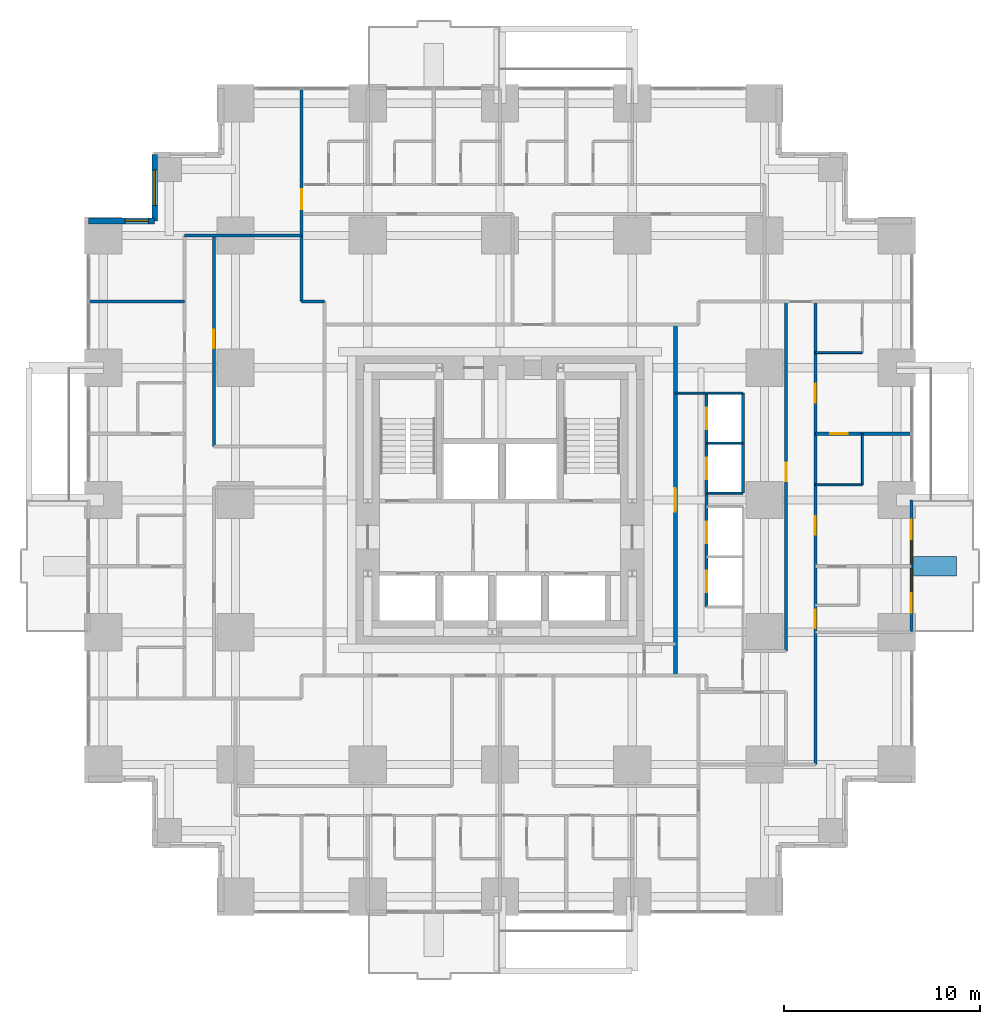
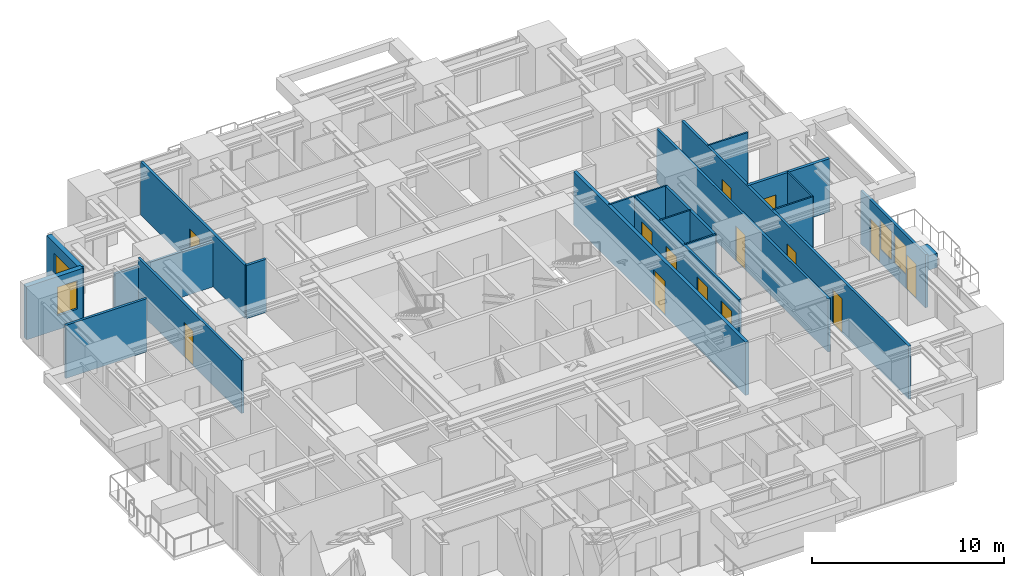
# One storey, part 11 of 14: 21 walls, 14 doors, 4 windows, 18 openings.
"""IFC4 building model written with IfcOpenShell, lengths in metres."""

from ifc_helpers import new_model, si_unit, direction, frame, frame_2d, origin, place, context, subcontext, project, spatial, rectangle, extrude, material, layer, layer_set, type_object, element, fill, save


model = new_model("IFC4")

# Units and contexts
model_context = context("Model", 3, precision=1e-05, world=origin(), true_north=direction((0.0, 1.0)))
body_context = subcontext(model_context, "Body", "Model", "MODEL_VIEW")
ifc_project = project(units=[si_unit("LENGTHUNIT", "METRE"), si_unit("AREAUNIT", "SQUARE_METRE"), si_unit("VOLUMEUNIT", "CUBIC_METRE"), si_unit("PLANEANGLEUNIT", "RADIAN"), si_unit("MASSUNIT", "GRAM", prefix="KILO")], contexts=[model_context])

# Site, building, storey
site_placement = place(None, origin())
site = spatial("IfcSite", under=ifc_project, at=site_placement, CompositionType="ELEMENT")
building_placement = place(site_placement, origin())
building = spatial("IfcBuilding", under=site, at=building_placement, Name="Nyansa Garden Tower", CompositionType="ELEMENT")
storey_placement = place(building_placement, frame((0.0, 0.0, 39.60009765625)))
storey = spatial("IfcBuildingStorey", under=building, at=storey_placement, Name="L10", CompositionType="ELEMENT", Elevation=39.60009765625)

# Wall, opening, door
ifc_material_1 = material(Name="Dense blockwork, plastered both sides, 55 dB", Category="masonry")
ifc_layer_1 = layer(ifc_material_1, 0.175048828125)
ifc_layer_set_1 = layer_set([ifc_layer_1], Name="Acoustic party wall PW175")
wall_type_1 = type_object("IfcWallType", Name="Acoustic party wall PW175", PredefinedType="PARTITIONING", material=ifc_layer_set_1)
wall_1_placement = place(storey_placement, frame((36.35009765625, 23.625, 0.0), z_axis=(0.0, 0.0, 1.0), x_axis=(1.0, 0.0, 0.0)))
wall_1 = element("IfcWall", 1, at=wall_1_placement, inside=storey, type_object=wall_type_1, Name="Party wall", PredefinedType="PARTITIONING", context=body_context, shape_type="SweptSolid", body=[
    extrude(rectangle(XDim=4.8837890625, YDim=0.175048828125, at=frame_2d((2.44189453125, 0.0))), origin(), (0.0, 0.0, 1.0), 3.375),
])
opening_1_placement = place(wall_1_placement, frame((0.75, 0.0, 0.0)))
opening_1 = element("IfcOpeningElement", 2, at=opening_1_placement, cuts=wall_1, Name="Opening D02", PredefinedType="OPENING", context=body_context, shape_type="SweptSolid", body=[
    extrude(rectangle(XDim=0.89990234375, YDim=2.199951171875, at=frame_2d((0.449951171875, 1.10009765625))), frame((0.0, 0.097412109375, 0.0), z_axis=(0.0, -1.0, 0.0), x_axis=(1.0, 0.0, 0.0)), (0.0, 0.0, 1.0), 0.195068359375),
])
ifc_material_2 = material(Name="Timber flush door", Category="wood")
door_type_1 = type_object("IfcDoorType", Name="En-suite door D02 900x2200", OperationType="SINGLE_SWING_RIGHT", PredefinedType="DOOR", material=ifc_material_2)
door_1_placement = place(opening_1_placement, origin())
door_1 = element("IfcDoor", 3, at=door_1_placement, inside=storey, type_object=door_type_1, Name="Door L10-038", OperationType="SINGLE_SWING_RIGHT", OverallHeight=2.199951171875, OverallWidth=0.89990234375, PredefinedType="DOOR", context=body_context, shape_type="SweptSolid", body=[
    extrude(rectangle(XDim=0.89990234375, YDim=2.199951171875, at=frame_2d((0.449951171875, 1.10009765625))), frame((0.0, 0.02490234375, 0.0), z_axis=(0.0, -1.0, 0.0), x_axis=(1.0, 0.0, 0.0)), (0.0, 0.0, 1.0), 0.050048828125),
])
fill(opening_1, door_1)

# Wall, openings, doors, windows
ifc_material_3 = material(Name="Black aluminium framed glazed screen", Category="aluminium")
ifc_layer_2 = layer(ifc_material_3, 0.14990234375)
ifc_layer_set_2 = layer_set([ifc_layer_2], Name="Balcony screen wall BW150")
wall_type_2 = type_object("IfcWallType", Name="Balcony screen wall BW150", PredefinedType="SOLIDWALL", material=ifc_layer_set_2)
wall_2_placement = place(storey_placement, frame((41.25, 20.25, 0.0), z_axis=(0.0, 0.0, 1.0), x_axis=(0.0, -1.0, 0.0)))
wall_2 = element("IfcWall", 4, at=wall_2_placement, inside=storey, type_object=wall_type_2, Name="Glazed screen wall L10 E", PredefinedType="SOLIDWALL", context=body_context, shape_type="SweptSolid", body=[
    extrude(rectangle(XDim=6.75, YDim=0.14990234375, at=frame_2d((3.375, 0.0))), origin(), (0.0, 0.0, 1.0), 3.375),
])
opening_2_placement = place(wall_2_placement, frame((0.995849609375, 0.0, 0.0)))
opening_2 = element("IfcOpeningElement", 5, at=opening_2_placement, cuts=wall_2, Name="Opening D20", PredefinedType="OPENING", context=body_context, shape_type="SweptSolid", body=[
    extrude(rectangle(XDim=1.0, YDim=2.199951171875, at=frame_2d((0.5, 1.10009765625))), frame((0.0, 0.0849609375, 0.0), z_axis=(0.0, -1.0, 0.0), x_axis=(1.0, 0.0, 0.0)), (0.0, 0.0, 1.0), 0.169921875),
])
opening_3_placement = place(wall_2_placement, frame((2.041748046875, 0.0, 0.89990234375)))
opening_3 = element("IfcOpeningElement", 6, at=opening_3_placement, cuts=wall_2, Name="Opening W6", PredefinedType="OPENING", context=body_context, shape_type="SweptSolid", body=[
    extrude(rectangle(XDim=1.199951171875, YDim=1.800048828125, at=frame_2d((0.60009765625, 0.89990234375))), frame((0.0, 0.0849609375, 0.0), z_axis=(0.0, -1.0, 0.0), x_axis=(1.0, 0.0, 0.0)), (0.0, 0.0, 1.0), 0.169921875),
])
opening_4_placement = place(wall_2_placement, frame((4.754150390625, 0.0, 0.0)))
opening_4 = element("IfcOpeningElement", 7, at=opening_4_placement, cuts=wall_2, Name="Opening D20", PredefinedType="OPENING", context=body_context, shape_type="SweptSolid", body=[
    extrude(rectangle(XDim=1.0, YDim=2.199951171875, at=frame_2d((0.5, 1.10009765625))), frame((0.0, 0.0849609375, 0.0), z_axis=(0.0, -1.0, 0.0), x_axis=(1.0, 0.0, 0.0)), (0.0, 0.0, 1.0), 0.169921875),
])
opening_5_placement = place(wall_2_placement, frame((3.50830078125, 0.0, 0.89990234375)))
opening_5 = element("IfcOpeningElement", 8, at=opening_5_placement, cuts=wall_2, Name="Opening W6", PredefinedType="OPENING", context=body_context, shape_type="SweptSolid", body=[
    extrude(rectangle(XDim=1.199951171875, YDim=1.800048828125, at=frame_2d((0.60009765625, 0.89990234375))), frame((0.0, 0.0849609375, 0.0), z_axis=(0.0, -1.0, 0.0), x_axis=(1.0, 0.0, 0.0)), (0.0, 0.0, 1.0), 0.169921875),
])
ifc_material_4 = material(Name="Black aluminium framed glazed door", Category="aluminium")
door_type_2 = type_object("IfcDoorType", Name="Balcony door D20 1000x2200", OperationType="NOTDEFINED", PredefinedType="DOOR", material=ifc_material_4)
door_2_placement = place(opening_2_placement, origin())
door_2 = element("IfcDoor", 9, at=door_2_placement, inside=storey, type_object=door_type_2, Name="Balcony door L10", OperationType="SINGLE_SWING_LEFT", OverallHeight=2.199951171875, OverallWidth=1.0, PredefinedType="DOOR", context=body_context, shape_type="SweptSolid", body=[
    extrude(rectangle(XDim=1.0, YDim=2.199951171875, at=frame_2d((0.5, 1.10009765625))), frame((0.0, 0.02490234375, 0.0), z_axis=(0.0, -1.0, 0.0), x_axis=(1.0, 0.0, 0.0)), (0.0, 0.0, 1.0), 0.050048828125),
])
fill(opening_2, door_2)
door_3_placement = place(opening_4_placement, origin())
door_3 = element("IfcDoor", 10, at=door_3_placement, inside=storey, type_object=door_type_2, Name="Balcony door L10", OperationType="SINGLE_SWING_RIGHT", OverallHeight=2.199951171875, OverallWidth=1.0, PredefinedType="DOOR", context=body_context, shape_type="SweptSolid", body=[
    extrude(rectangle(XDim=1.0, YDim=2.199951171875, at=frame_2d((0.5, 1.10009765625))), frame((0.0, 0.02490234375, 0.0), z_axis=(0.0, -1.0, 0.0), x_axis=(1.0, 0.0, 0.0)), (0.0, 0.0, 1.0), 0.050048828125),
])
fill(opening_4, door_3)
ifc_material_5 = material(Name="Black aluminium frame, dark tinted double glazing", Category="aluminium")
window_type_1 = type_object("IfcWindowType", Name="Balcony window W6 1200x1800", PartitioningType="SINGLE_PANEL", PredefinedType="WINDOW", material=ifc_material_5)
window_1_placement = place(opening_3_placement, origin())
window_1 = element("IfcWindow", 11, at=window_1_placement, inside=storey, type_object=window_type_1, Name="Window L10", OverallHeight=1.800048828125, OverallWidth=1.199951171875, PartitioningType="SINGLE_PANEL", PredefinedType="WINDOW", context=body_context, shape_type="SweptSolid", body=[
    extrude(rectangle(XDim=1.199951171875, YDim=1.800048828125, at=frame_2d((0.60009765625, 0.89990234375))), frame((0.0, 0.030029296875, 0.0), z_axis=(0.0, -1.0, 0.0), x_axis=(1.0, 0.0, 0.0)), (0.0, 0.0, 1.0), 0.06005859375),
])
fill(opening_3, window_1)
window_2_placement = place(opening_5_placement, origin())
window_2 = element("IfcWindow", 12, at=window_2_placement, inside=storey, type_object=window_type_1, Name="Window L10", OverallHeight=1.800048828125, OverallWidth=1.199951171875, PartitioningType="SINGLE_PANEL", PredefinedType="WINDOW", context=body_context, shape_type="SweptSolid", body=[
    extrude(rectangle(XDim=1.199951171875, YDim=1.800048828125, at=frame_2d((0.60009765625, 0.89990234375))), frame((0.0, 0.030029296875, 0.0), z_axis=(0.0, -1.0, 0.0), x_axis=(1.0, 0.0, 0.0)), (0.0, 0.0, 1.0), 0.06005859375),
])
fill(opening_5, window_2)

# Wall, opening, door
ifc_material_6 = material(Name="Concrete blockwork, plastered, 60 minute fire resisting", Category="masonry")
ifc_layer_3 = layer(ifc_material_6, 0.199951171875)
ifc_layer_set_3 = layer_set([ifc_layer_3], Name="Corridor wall FW200")
wall_type_3 = type_object("IfcWallType", Name="Corridor wall FW200", PredefinedType="PARTITIONING", material=ifc_layer_set_3)
wall_3_placement = place(storey_placement, frame((29.199951171875, 11.300048828125, 0.0), z_axis=(0.0, 0.0, 1.0), x_axis=(0.0, 1.0, 0.0)))
wall_3 = element("IfcWall", 13, at=wall_3_placement, inside=storey, type_object=wall_type_3, Name="Corridor wall", PredefinedType="PARTITIONING", context=body_context, shape_type="SweptSolid", body=[
    extrude(rectangle(XDim=17.89990234375, YDim=0.199951171875, at=frame_2d((8.949951171875, 0.0))), origin(), (0.0, 0.0, 1.0), 3.375),
])
opening_6_placement = place(wall_3_placement, frame((8.35009765625, 0.0, 0.0)))
opening_6 = element("IfcOpeningElement", 14, at=opening_6_placement, cuts=wall_3, Name="Opening D06", PredefinedType="OPENING", context=body_context, shape_type="SweptSolid", body=[
    extrude(rectangle(XDim=1.199951171875, YDim=2.199951171875, at=frame_2d((0.60009765625, 1.10009765625))), frame((0.0, 0.10986328125, 0.0), z_axis=(0.0, -1.0, 0.0), x_axis=(1.0, 0.0, 0.0)), (0.0, 0.0, 1.0), 0.219970703125),
])
ifc_material_7 = material(Name="Steel door, 120 minute fire resisting", Category="steel")
door_type_3 = type_object("IfcDoorType", Name="Lobby door D06 1200x2200", OperationType="DOUBLE_DOOR_SINGLE_SWING", PredefinedType="DOOR", material=ifc_material_7)
door_4_placement = place(opening_6_placement, origin())
door_4 = element("IfcDoor", 15, at=door_4_placement, inside=storey, type_object=door_type_3, Name="Low-rise lift lobby door", OperationType="DOUBLE_DOOR_SINGLE_SWING", OverallHeight=2.199951171875, OverallWidth=1.199951171875, PredefinedType="DOOR", context=body_context, shape_type="SweptSolid", body=[
    extrude(rectangle(XDim=1.199951171875, YDim=2.199951171875, at=frame_2d((0.60009765625, 1.10009765625))), frame((0.0, 0.02490234375, 0.0), z_axis=(0.0, -1.0, 0.0), x_axis=(1.0, 0.0, 0.0)), (0.0, 0.0, 1.0), 0.050048828125),
])
fill(opening_6, door_4)

# Walls
ifc_material_8 = material(Name="Steel-stud shaft wall, two layers fire-rated board, EI 120", Category="steel")
ifc_layer_4 = layer(ifc_material_8, 0.10009765625)
ifc_layer_set_4 = layer_set([ifc_layer_4], Name="Lift shaft wall SW100")
wall_type_4 = type_object("IfcWallType", Name="Lift shaft wall SW100", PredefinedType="SHEAR", material=ifc_layer_set_4)
wall_4_placement = place(storey_placement, frame((29.199951171875, 25.699951171875, 0.0), z_axis=(0.0, 0.0, 1.0), x_axis=(1.0, 0.0, 0.0)))
element("IfcWall", 16, at=wall_4_placement, inside=storey, type_object=wall_type_4, Name="Lift shaft wall", PredefinedType="SHEAR", context=body_context, shape_type="SweptSolid", body=[
    extrude(rectangle(XDim=3.449951171875, YDim=0.10009765625, at=frame_2d((1.72509765625, 0.0))), origin(), (0.0, 0.0, 1.0), 3.375),
])
for number, where, z_axis, x_axis, name in (
    (17, (30.800048828125, 20.60009765625, 0.0), (0.0, 0.0, 1.0), (1.0, 0.0, 0.0), "Lift shaft wall"),
    (18, (30.800048828125, 23.14990234375, 0.0), (0.0, 0.0, 1.0), (1.0, 0.0, 0.0), "Lift shaft wall"),
):
    element("IfcWall", number, at=place(storey_placement, frame(where, z_axis=z_axis, x_axis=x_axis)), inside=storey, type_object=wall_type_4, Name=name, PredefinedType="SHEAR", context=body_context, shape_type="SweptSolid", body=[
        extrude(rectangle(XDim=1.849853515625, YDim=0.10009765625, at=frame_2d((0.9248046875, 0.0))), origin(), (0.0, 0.0, 1.0), 3.375),
    ])
ifc_material_9 = material(Name="Blockwork, plastered both sides", Category="masonry")
ifc_layer_5 = layer(ifc_material_9, 0.14990234375)
ifc_layer_set_5 = layer_set([ifc_layer_5], Name="Partition PW150")
wall_type_5 = type_object("IfcWallType", Name="Partition PW150", PredefinedType="PARTITIONING", material=ifc_layer_set_5)
wall_5_placement = place(storey_placement, frame((-0.73388671875, 30.375, 0.0), z_axis=(0.0, 0.0, 1.0), x_axis=(1.0, 0.0, 0.0)))
element("IfcWall", 19, at=wall_5_placement, inside=storey, type_object=wall_type_5, Name="Partition", PredefinedType="PARTITIONING", context=body_context, shape_type="SweptSolid", body=[
    extrude(rectangle(XDim=4.8837890625, YDim=0.14990234375, at=frame_2d((2.44189453125, 0.0))), origin(), (0.0, 0.0, 1.0), 3.375),
])
wall_6_placement = place(storey_placement, frame((4.14990234375, 33.75, 0.0), z_axis=(0.0, 0.0, 1.0), x_axis=(1.0, 0.0, 0.0)))
element("IfcWall", 20, at=wall_6_placement, inside=storey, type_object=wall_type_5, Name="Partition", PredefinedType="PARTITIONING", context=body_context, shape_type="SweptSolid", body=[
    extrude(rectangle(XDim=5.97509765625, YDim=0.14990234375, at=frame_2d((2.987548828125, 0.0))), origin(), (0.0, 0.0, 1.0), 2.876953125),
])

# Wall, opening, door
wall_7_placement = place(storey_placement, frame((5.64990234375, 22.987548828125, 0.0), z_axis=(0.0, 0.0, 1.0), x_axis=(0.0, 1.0, 0.0)))
wall_7 = element("IfcWall", 21, at=wall_7_placement, inside=storey, type_object=wall_type_5, Name="Partition", PredefinedType="PARTITIONING", context=body_context, shape_type="SweptSolid", body=[
    extrude(rectangle(XDim=10.762451171875, YDim=0.14990234375, at=frame_2d((5.38134765625, 0.0))), origin(), (0.0, 0.0, 1.0), 3.375),
])
opening_7_placement = place(wall_7_placement, frame((5.0, 0.0, 0.0)))
opening_7 = element("IfcOpeningElement", 22, at=opening_7_placement, cuts=wall_7, Name="Opening D01", PredefinedType="OPENING", context=body_context, shape_type="SweptSolid", body=[
    extrude(rectangle(XDim=0.949951171875, YDim=2.199951171875, at=frame_2d((0.47509765625, 1.10009765625))), frame((0.0, 0.0849609375, 0.0), z_axis=(0.0, -1.0, 0.0), x_axis=(1.0, 0.0, 0.0)), (0.0, 0.0, 1.0), 0.169921875),
])
ifc_material_10 = material(Name="Timber flush door, 30 minute fire resisting", Category="wood")
door_type_4 = type_object("IfcDoorType", Name="Bedroom door D01 950x2200", OperationType="SINGLE_SWING_LEFT", PredefinedType="DOOR", material=ifc_material_10)
door_5_placement = place(opening_7_placement, origin())
door_5 = element("IfcDoor", 23, at=door_5_placement, inside=storey, type_object=door_type_4, Name="Door L10-067", OperationType="SINGLE_SWING_LEFT", OverallHeight=2.199951171875, OverallWidth=0.949951171875, PredefinedType="DOOR", context=body_context, shape_type="SweptSolid", body=[
    extrude(rectangle(XDim=0.949951171875, YDim=2.199951171875, at=frame_2d((0.47509765625, 1.10009765625))), frame((0.0, 0.02490234375, 0.0), z_axis=(0.0, -1.0, 0.0), x_axis=(1.0, 0.0, 0.0)), (0.0, 0.0, 1.0), 0.050048828125),
])
fill(opening_7, door_5)

wall_8_placement = place(storey_placement, frame((10.125, 30.375, 0.0), z_axis=(0.0, 0.0, 1.0), x_axis=(0.0, 1.0, 0.0)))
wall_8 = element("IfcWall", 24, at=wall_8_placement, inside=storey, type_object=wall_type_5, Name="Partition", PredefinedType="PARTITIONING", context=body_context, shape_type="SweptSolid", body=[
    extrude(rectangle(XDim=10.85888671875, YDim=0.14990234375, at=frame_2d((5.429443359375, 0.0))), origin(), (0.0, 0.0, 1.0), 3.375),
])
opening_8_placement = place(wall_8_placement, frame((4.72509765625, 0.0, 0.0)))
opening_8 = element("IfcOpeningElement", 25, at=opening_8_placement, cuts=wall_8, Name="Opening D03", PredefinedType="OPENING", context=body_context, shape_type="SweptSolid", body=[
    extrude(rectangle(XDim=1.0, YDim=2.199951171875, at=frame_2d((0.5, 1.10009765625))), frame((0.0, 0.0849609375, 0.0), z_axis=(0.0, -1.0, 0.0), x_axis=(1.0, 0.0, 0.0)), (0.0, 0.0, 1.0), 0.169921875),
])
ifc_material_11 = material(Name="Timber flush door, 60 minute fire resisting", Category="wood")
door_type_5 = type_object("IfcDoorType", Name="Cluster entrance door D03 1000x2200", OperationType="SINGLE_SWING_LEFT", PredefinedType="DOOR", material=ifc_material_11)
door_6_placement = place(opening_8_placement, origin())
door_6 = element("IfcDoor", 26, at=door_6_placement, inside=storey, type_object=door_type_5, Name="Door L10-058", OperationType="SINGLE_SWING_LEFT", OverallHeight=2.199951171875, OverallWidth=1.0, PredefinedType="DOOR", context=body_context, shape_type="SweptSolid", body=[
    extrude(rectangle(XDim=1.0, YDim=2.199951171875, at=frame_2d((0.5, 1.10009765625))), frame((0.0, 0.02490234375, 0.0), z_axis=(0.0, -1.0, 0.0), x_axis=(1.0, 0.0, 0.0)), (0.0, 0.0, 1.0), 0.050048828125),
])
fill(opening_8, door_6)

# Wall
wall_9_placement = place(storey_placement, frame((10.125, 30.375, 0.0), z_axis=(0.0, 0.0, 1.0), x_axis=(1.0, 0.0, 0.0)))
element("IfcWall", 27, at=wall_9_placement, inside=storey, type_object=wall_type_5, Name="Partition", PredefinedType="PARTITIONING", context=body_context, shape_type="SweptSolid", body=[
    extrude(rectangle(XDim=1.175048828125, YDim=0.14990234375, at=frame_2d((0.58740234375, 0.0))), origin(), (0.0, 0.0, 1.0), 3.375),
])

# Wall, openings, doors
wall_10_placement = place(storey_placement, frame((30.800048828125, 14.800048828125, 0.0), z_axis=(0.0, 0.0, 1.0), x_axis=(0.0, 1.0, 0.0)))
wall_10 = element("IfcWall", 28, at=wall_10_placement, inside=storey, type_object=wall_type_5, Name="Partition", PredefinedType="PARTITIONING", context=body_context, shape_type="SweptSolid", body=[
    extrude(rectangle(XDim=10.89990234375, YDim=0.14990234375, at=frame_2d((5.449951171875, 0.0))), origin(), (0.0, 0.0, 1.0), 3.375),
])
opening_9_placement = place(wall_10_placement, frame((0.75, 0.0, 0.0)))
opening_9 = element("IfcOpeningElement", 29, at=opening_9_placement, cuts=wall_10, Name="Opening LD-A", PredefinedType="OPENING", context=body_context, shape_type="SweptSolid", body=[
    extrude(rectangle(XDim=1.10009765625, YDim=2.199951171875, at=frame_2d((0.550048828125, 1.10009765625))), frame((0.0, 0.0849609375, 0.0), z_axis=(0.0, -1.0, 0.0), x_axis=(1.0, 0.0, 0.0)), (0.0, 0.0, 1.0), 0.169921875),
])
opening_10_placement = place(wall_10_placement, frame((3.25, 0.0, 0.0)))
opening_10 = element("IfcOpeningElement", 30, at=opening_10_placement, cuts=wall_10, Name="Opening LD-A", PredefinedType="OPENING", context=body_context, shape_type="SweptSolid", body=[
    extrude(rectangle(XDim=1.10009765625, YDim=2.199951171875, at=frame_2d((0.550048828125, 1.10009765625))), frame((0.0, 0.0849609375, 0.0), z_axis=(0.0, -1.0, 0.0), x_axis=(1.0, 0.0, 0.0)), (0.0, 0.0, 1.0), 0.169921875),
])
opening_11_placement = place(wall_10_placement, frame((6.5, 0.0, 0.0)))
opening_11 = element("IfcOpeningElement", 31, at=opening_11_placement, cuts=wall_10, Name="Opening LD-A", PredefinedType="OPENING", context=body_context, shape_type="SweptSolid", body=[
    extrude(rectangle(XDim=1.10009765625, YDim=2.199951171875, at=frame_2d((0.550048828125, 1.10009765625))), frame((0.0, 0.0849609375, 0.0), z_axis=(0.0, -1.0, 0.0), x_axis=(1.0, 0.0, 0.0)), (0.0, 0.0, 1.0), 0.169921875),
])
opening_12_placement = place(wall_10_placement, frame((9.050048828125, 0.0, 0.0)))
opening_12 = element("IfcOpeningElement", 32, at=opening_12_placement, cuts=wall_10, Name="Opening LD-A", PredefinedType="OPENING", context=body_context, shape_type="SweptSolid", body=[
    extrude(rectangle(XDim=1.10009765625, YDim=2.199951171875, at=frame_2d((0.550048828125, 1.10009765625))), frame((0.0, 0.0849609375, 0.0), z_axis=(0.0, -1.0, 0.0), x_axis=(1.0, 0.0, 0.0)), (0.0, 0.0, 1.0), 0.169921875),
])
ifc_material_12 = material(Name="Stainless steel centre-opening landing door of the low-rise lift, E 120", Category="steel")
door_type_6 = type_object("IfcDoorType", Name="Lift landing door LD-A 1100x2200", OperationType="DOUBLE_DOOR_SLIDING", PredefinedType="DOOR", material=ifc_material_12)
door_7_placement = place(opening_9_placement, origin())
door_7 = element("IfcDoor", 33, at=door_7_placement, inside=storey, type_object=door_type_6, Name="Landing door A1", OperationType="DOUBLE_DOOR_SLIDING", OverallHeight=2.199951171875, OverallWidth=1.10009765625, PredefinedType="DOOR", context=body_context, shape_type="SweptSolid", body=[
    extrude(rectangle(XDim=1.10009765625, YDim=2.199951171875, at=frame_2d((0.550048828125, 1.10009765625))), frame((0.0, 0.02490234375, 0.0), z_axis=(0.0, -1.0, 0.0), x_axis=(1.0, 0.0, 0.0)), (0.0, 0.0, 1.0), 0.050048828125),
])
fill(opening_9, door_7)
door_8_placement = place(opening_10_placement, origin())
door_8 = element("IfcDoor", 34, at=door_8_placement, inside=storey, type_object=door_type_6, Name="Landing door A2", OperationType="DOUBLE_DOOR_SLIDING", OverallHeight=2.199951171875, OverallWidth=1.10009765625, PredefinedType="DOOR", context=body_context, shape_type="SweptSolid", body=[
    extrude(rectangle(XDim=1.10009765625, YDim=2.199951171875, at=frame_2d((0.550048828125, 1.10009765625))), frame((0.0, 0.02490234375, 0.0), z_axis=(0.0, -1.0, 0.0), x_axis=(1.0, 0.0, 0.0)), (0.0, 0.0, 1.0), 0.050048828125),
])
fill(opening_10, door_8)
door_9_placement = place(opening_11_placement, origin())
door_9 = element("IfcDoor", 35, at=door_9_placement, inside=storey, type_object=door_type_6, Name="Landing door A3", OperationType="DOUBLE_DOOR_SLIDING", OverallHeight=2.199951171875, OverallWidth=1.10009765625, PredefinedType="DOOR", context=body_context, shape_type="SweptSolid", body=[
    extrude(rectangle(XDim=1.10009765625, YDim=2.199951171875, at=frame_2d((0.550048828125, 1.10009765625))), frame((0.0, 0.02490234375, 0.0), z_axis=(0.0, -1.0, 0.0), x_axis=(1.0, 0.0, 0.0)), (0.0, 0.0, 1.0), 0.050048828125),
])
fill(opening_11, door_9)
door_10_placement = place(opening_12_placement, origin())
door_10 = element("IfcDoor", 36, at=door_10_placement, inside=storey, type_object=door_type_6, Name="Landing door A4", OperationType="DOUBLE_DOOR_SLIDING", OverallHeight=2.199951171875, OverallWidth=1.10009765625, PredefinedType="DOOR", context=body_context, shape_type="SweptSolid", body=[
    extrude(rectangle(XDim=1.10009765625, YDim=2.199951171875, at=frame_2d((0.550048828125, 1.10009765625))), frame((0.0, 0.02490234375, 0.0), z_axis=(0.0, -1.0, 0.0), x_axis=(1.0, 0.0, 0.0)), (0.0, 0.0, 1.0), 0.050048828125),
])
fill(opening_12, door_10)

# Wall
wall_11_placement = place(storey_placement, frame((32.64990234375, 20.60009765625, 0.0), z_axis=(0.0, 0.0, 1.0), x_axis=(0.0, 1.0, 0.0)))
element("IfcWall", 37, at=wall_11_placement, inside=storey, type_object=wall_type_5, Name="Partition", PredefinedType="PARTITIONING", context=body_context, shape_type="SweptSolid", body=[
    extrude(rectangle(XDim=5.099853515625, YDim=0.14990234375, at=frame_2d((2.5498046875, 0.0))), origin(), (0.0, 0.0, 1.0), 3.375),
])

# Wall, opening, door
wall_12_placement = place(storey_placement, frame((34.85009765625, 12.550048828125, 0.0), z_axis=(0.0, 0.0, 1.0), x_axis=(0.0, 1.0, 0.0)))
wall_12 = element("IfcWall", 38, at=wall_12_placement, inside=storey, type_object=wall_type_5, Name="Partition", PredefinedType="PARTITIONING", context=body_context, shape_type="SweptSolid", body=[
    extrude(rectangle(XDim=17.824951171875, YDim=0.14990234375, at=frame_2d((8.91259765625, 0.0))), origin(), (0.0, 0.0, 1.0), 3.375),
])
opening_13_placement = place(wall_12_placement, frame((8.64990234375, 0.0, 0.0)))
opening_13 = element("IfcOpeningElement", 39, at=opening_13_placement, cuts=wall_12, Name="Opening D01", PredefinedType="OPENING", context=body_context, shape_type="SweptSolid", body=[
    extrude(rectangle(XDim=0.949951171875, YDim=2.199951171875, at=frame_2d((0.47509765625, 1.10009765625))), frame((0.0, 0.0849609375, 0.0), z_axis=(0.0, -1.0, 0.0), x_axis=(1.0, 0.0, 0.0)), (0.0, 0.0, 1.0), 0.169921875),
])
door_11_placement = place(opening_13_placement, origin())
door_11 = element("IfcDoor", 40, at=door_11_placement, inside=storey, type_object=door_type_4, Name="Door L10-042", OperationType="SINGLE_SWING_LEFT", OverallHeight=2.199951171875, OverallWidth=0.949951171875, PredefinedType="DOOR", context=body_context, shape_type="SweptSolid", body=[
    extrude(rectangle(XDim=0.949951171875, YDim=2.199951171875, at=frame_2d((0.47509765625, 1.10009765625))), frame((0.0, 0.02490234375, 0.0), z_axis=(0.0, -1.0, 0.0), x_axis=(1.0, 0.0, 0.0)), (0.0, 0.0, 1.0), 0.050048828125),
])
fill(opening_13, door_11)

# Wall, openings, doors
wall_13_placement = place(storey_placement, frame((36.35009765625, 6.75, 0.0), z_axis=(0.0, 0.0, 1.0), x_axis=(0.0, 1.0, 0.0)))
wall_13 = element("IfcWall", 41, at=wall_13_placement, inside=storey, type_object=wall_type_5, Name="Partition", PredefinedType="PARTITIONING", context=body_context, shape_type="SweptSolid", body=[
    extrude(rectangle(XDim=23.625, YDim=0.14990234375, at=frame_2d((11.8125, 0.0))), origin(), (0.0, 0.0, 1.0), 3.375),
])
opening_14_placement = place(wall_13_placement, frame((18.47509765625, 0.0, 0.0)))
opening_14 = element("IfcOpeningElement", 42, at=opening_14_placement, cuts=wall_13, Name="Opening D14", PredefinedType="OPENING", context=body_context, shape_type="SweptSolid", body=[
    extrude(rectangle(XDim=0.949951171875, YDim=2.199951171875, at=frame_2d((0.47509765625, 1.10009765625))), frame((0.0, 0.0849609375, 0.0), z_axis=(0.0, -1.0, 0.0), x_axis=(1.0, 0.0, 0.0)), (0.0, 0.0, 1.0), 0.169921875),
])
opening_15_placement = place(wall_13_placement, frame((11.72509765625, 0.0, 0.0)))
opening_15 = element("IfcOpeningElement", 43, at=opening_15_placement, cuts=wall_13, Name="Opening D14", PredefinedType="OPENING", context=body_context, shape_type="SweptSolid", body=[
    extrude(rectangle(XDim=0.949951171875, YDim=2.199951171875, at=frame_2d((0.47509765625, 1.10009765625))), frame((0.0, 0.0849609375, 0.0), z_axis=(0.0, -1.0, 0.0), x_axis=(1.0, 0.0, 0.0)), (0.0, 0.0, 1.0), 0.169921875),
])
opening_16_placement = place(wall_13_placement, frame((6.949951171875, 0.0, 0.0)))
opening_16 = element("IfcOpeningElement", 44, at=opening_16_placement, cuts=wall_13, Name="Opening D14", PredefinedType="OPENING", context=body_context, shape_type="SweptSolid", body=[
    extrude(rectangle(XDim=0.949951171875, YDim=2.199951171875, at=frame_2d((0.47509765625, 1.10009765625))), frame((0.0, 0.0849609375, 0.0), z_axis=(0.0, -1.0, 0.0), x_axis=(1.0, 0.0, 0.0)), (0.0, 0.0, 1.0), 0.169921875),
])
ifc_material_13 = material(Name="Timber flush door, 60 minute fire resisting, self-closing", Category="wood")
door_type_7 = type_object("IfcDoorType", Name="Studio entrance door D14 950x2200", OperationType="SINGLE_SWING_LEFT", PredefinedType="DOOR", material=ifc_material_13)
door_12_placement = place(opening_14_placement, origin())
door_12 = element("IfcDoor", 45, at=door_12_placement, inside=storey, type_object=door_type_7, Name="Door L10-035", OperationType="SINGLE_SWING_LEFT", OverallHeight=2.199951171875, OverallWidth=0.949951171875, PredefinedType="DOOR", context=body_context, shape_type="SweptSolid", body=[
    extrude(rectangle(XDim=0.949951171875, YDim=2.199951171875, at=frame_2d((0.47509765625, 1.10009765625))), frame((0.0, 0.02490234375, 0.0), z_axis=(0.0, -1.0, 0.0), x_axis=(1.0, 0.0, 0.0)), (0.0, 0.0, 1.0), 0.050048828125),
])
fill(opening_14, door_12)
door_13_placement = place(opening_15_placement, origin())
door_13 = element("IfcDoor", 46, at=door_13_placement, inside=storey, type_object=door_type_7, Name="Door L10-037", OperationType="SINGLE_SWING_LEFT", OverallHeight=2.199951171875, OverallWidth=0.949951171875, PredefinedType="DOOR", context=body_context, shape_type="SweptSolid", body=[
    extrude(rectangle(XDim=0.949951171875, YDim=2.199951171875, at=frame_2d((0.47509765625, 1.10009765625))), frame((0.0, 0.02490234375, 0.0), z_axis=(0.0, -1.0, 0.0), x_axis=(1.0, 0.0, 0.0)), (0.0, 0.0, 1.0), 0.050048828125),
])
fill(opening_15, door_13)
door_14_placement = place(opening_16_placement, origin())
door_14 = element("IfcDoor", 47, at=door_14_placement, inside=storey, type_object=door_type_7, Name="Door L10-039", OperationType="SINGLE_SWING_LEFT", OverallHeight=2.199951171875, OverallWidth=0.949951171875, PredefinedType="DOOR", context=body_context, shape_type="SweptSolid", body=[
    extrude(rectangle(XDim=0.949951171875, YDim=2.199951171875, at=frame_2d((0.47509765625, 1.10009765625))), frame((0.0, 0.02490234375, 0.0), z_axis=(0.0, -1.0, 0.0), x_axis=(1.0, 0.0, 0.0)), (0.0, 0.0, 1.0), 0.050048828125),
])
fill(opening_16, door_14)

# Wall, opening, window
ifc_material_14 = material(Name="Turquoise glazed tile on concrete blockwork", Category="masonry")
ifc_layer_6 = layer(ifc_material_14, 0.300048828125)
ifc_layer_set_6 = layer_set([ifc_layer_6], Name="Tiled corner wall TW300")
wall_type_6 = type_object("IfcWallType", Name="Tiled corner wall TW300", PredefinedType="SOLIDWALL", material=ifc_layer_set_6)
wall_14_placement = place(storey_placement, frame((2.625, 37.875, 0.0), z_axis=(0.0, 0.0, 1.0), x_axis=(0.0, -1.0, 0.0)))
wall_14 = element("IfcWall", 48, at=wall_14_placement, inside=storey, type_object=wall_type_6, Name="Tiled corner wall L10", PredefinedType="SOLIDWALL", context=body_context, shape_type="SweptSolid", body=[
    extrude(rectangle(XDim=3.375, YDim=0.300048828125, at=frame_2d((1.6875, 0.0))), origin(), (0.0, 0.0, 1.0), 3.375),
])
opening_17_placement = place(wall_14_placement, frame((0.78759765625, 0.0, 0.60009765625)))
opening_17 = element("IfcOpeningElement", 49, at=opening_17_placement, cuts=wall_14, Name="Opening W2", PredefinedType="OPENING", context=body_context, shape_type="SweptSolid", body=[
    extrude(rectangle(XDim=1.800048828125, YDim=2.10009765625, at=frame_2d((0.89990234375, 1.050048828125))), frame((0.0, 0.159912109375, 0.0), z_axis=(0.0, -1.0, 0.0), x_axis=(1.0, 0.0, 0.0)), (0.0, 0.0, 1.0), 0.320068359375),
])
ifc_material_15 = material(Name="Black aluminium frame, dark tinted double glazing", Category="aluminium")
window_type_2 = type_object("IfcWindowType", Name="Window W2 1800x2100", PartitioningType="SINGLE_PANEL", PredefinedType="WINDOW", material=ifc_material_15)
window_3_placement = place(opening_17_placement, origin())
window_3 = element("IfcWindow", 50, at=window_3_placement, inside=storey, type_object=window_type_2, Name="Corner window L10", OverallHeight=2.10009765625, OverallWidth=1.800048828125, PartitioningType="SINGLE_PANEL", PredefinedType="WINDOW", context=body_context, shape_type="SweptSolid", body=[
    extrude(rectangle(XDim=1.800048828125, YDim=2.10009765625, at=frame_2d((0.89990234375, 1.050048828125))), frame((0.0, 0.030029296875, 0.0), z_axis=(0.0, -1.0, 0.0), x_axis=(1.0, 0.0, 0.0)), (0.0, 0.0, 1.0), 0.06005859375),
])
fill(opening_17, window_3)

wall_15_placement = place(storey_placement, frame((2.625, 34.5, 0.0), z_axis=(0.0, 0.0, 1.0), x_axis=(-1.0, 0.0, 0.0)))
wall_15 = element("IfcWall", 51, at=wall_15_placement, inside=storey, type_object=wall_type_6, Name="Tiled corner wall L10", PredefinedType="SOLIDWALL", context=body_context, shape_type="SweptSolid", body=[
    extrude(rectangle(XDim=3.375, YDim=0.300048828125, at=frame_2d((1.6875, 0.0))), origin(), (0.0, 0.0, 1.0), 3.375),
])
opening_18_placement = place(wall_15_placement, frame((0.3173828125, 0.0, 0.89990234375)))
opening_18 = element("IfcOpeningElement", 52, at=opening_18_placement, cuts=wall_15, Name="Opening W4", PredefinedType="OPENING", context=body_context, shape_type="SweptSolid", body=[
    extrude(rectangle(XDim=1.199951171875, YDim=1.800048828125, at=frame_2d((0.60009765625, 0.89990234375))), frame((0.0, 0.159912109375, 0.0), z_axis=(0.0, -1.0, 0.0), x_axis=(1.0, 0.0, 0.0)), (0.0, 0.0, 1.0), 0.320068359375),
])
ifc_material_16 = material(Name="Black aluminium frame, dark tinted double glazing", Category="aluminium")
window_type_3 = type_object("IfcWindowType", Name="Window W4 1200x1800", PartitioningType="SINGLE_PANEL", PredefinedType="WINDOW", material=ifc_material_16)
window_4_placement = place(opening_18_placement, origin())
window_4 = element("IfcWindow", 53, at=window_4_placement, inside=storey, type_object=window_type_3, Name="Corner window L10", OverallHeight=1.800048828125, OverallWidth=1.199951171875, PartitioningType="SINGLE_PANEL", PredefinedType="WINDOW", context=body_context, shape_type="SweptSolid", body=[
    extrude(rectangle(XDim=1.199951171875, YDim=1.800048828125, at=frame_2d((0.60009765625, 0.89990234375))), frame((0.0, 0.030029296875, 0.0), z_axis=(0.0, -1.0, 0.0), x_axis=(1.0, 0.0, 0.0)), (0.0, 0.0, 1.0), 0.06005859375),
])
fill(opening_18, window_4)

# Walls
ifc_material_17 = material(Name="Concrete C40/50 planter, waterproofed", Category="concrete")
ifc_layer_7 = layer(ifc_material_17, 1.0)
ifc_layer_set_7 = layer_set([ifc_layer_7], Name="Tree planter TP1")
wall_type_7 = type_object("IfcWallType", Name="Tree planter TP1", PredefinedType="USERDEFINED", material=ifc_layer_set_7)
wall_16_placement = place(storey_placement, frame((41.35009765625, 16.875, 0.0), z_axis=(0.0, 0.0, 1.0), x_axis=(1.0, 0.0, 0.0)))
element("IfcWall", 54, at=wall_16_placement, inside=storey, type_object=wall_type_7, Name="Tree planter L10", ObjectType="TREE PLANTER", PredefinedType="USERDEFINED", context=body_context, shape_type="SweptSolid", body=[
    extrude(rectangle(XDim=2.199951171875, YDim=1.0, at=frame_2d((1.10009765625, 0.0))), origin(), (0.0, 0.0, 1.0), 0.89990234375),
])
ifc_material_18 = material(Name="Moisture resistant board on steel studs, tiled", Category="steel")
ifc_layer_8 = layer(ifc_material_18, 0.10009765625)
ifc_layer_set_8 = layer_set([ifc_layer_8], Name="Wet wall PW100")
wall_type_8 = type_object("IfcWallType", Name="Wet wall PW100", PredefinedType="PARTITIONING", material=ifc_layer_set_8)
for number, where, z_axis, x_axis, name in (
    (55, (36.35009765625, 21.02490234375, 0.0), (0.0, 0.0, 1.0), (1.0, 0.0, 0.0), "Wet wall"),
    (56, (36.35009765625, 27.77490234375, 0.0), (0.0, 0.0, 1.0), (1.0, 0.0, 0.0), "Wet wall"),
):
    element("IfcWall", number, at=place(storey_placement, frame(where, z_axis=z_axis, x_axis=x_axis)), inside=storey, type_object=wall_type_8, Name=name, PredefinedType="PARTITIONING", context=body_context, shape_type="SweptSolid", body=[
        extrude(rectangle(XDim=2.39990234375, YDim=0.10009765625, at=frame_2d((1.199951171875, 0.0))), origin(), (0.0, 0.0, 1.0), 3.375),
    ])
wall_17_placement = place(storey_placement, frame((38.75, 21.02490234375, 0.0), z_axis=(0.0, 0.0, 1.0), x_axis=(0.0, 1.0, 0.0)))
element("IfcWall", 57, at=wall_17_placement, inside=storey, type_object=wall_type_8, Name="Wet wall", PredefinedType="PARTITIONING", context=body_context, shape_type="SweptSolid", body=[
    extrude(rectangle(XDim=2.60009765625, YDim=0.10009765625, at=frame_2d((1.300048828125, 0.0))), origin(), (0.0, 0.0, 1.0), 3.375),
])

save(model, "model.ifc")
